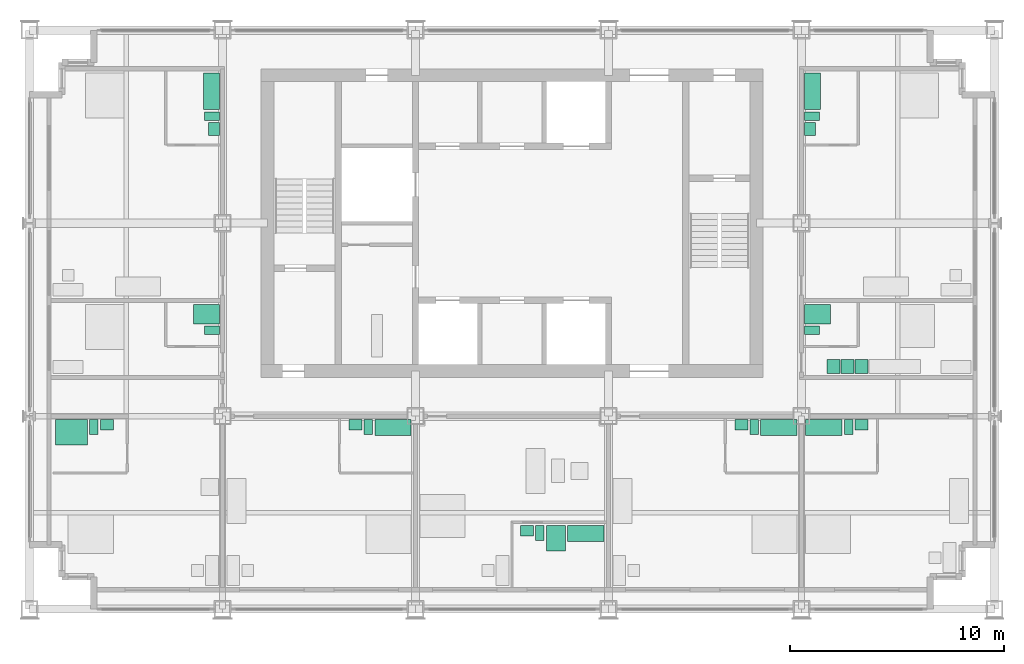
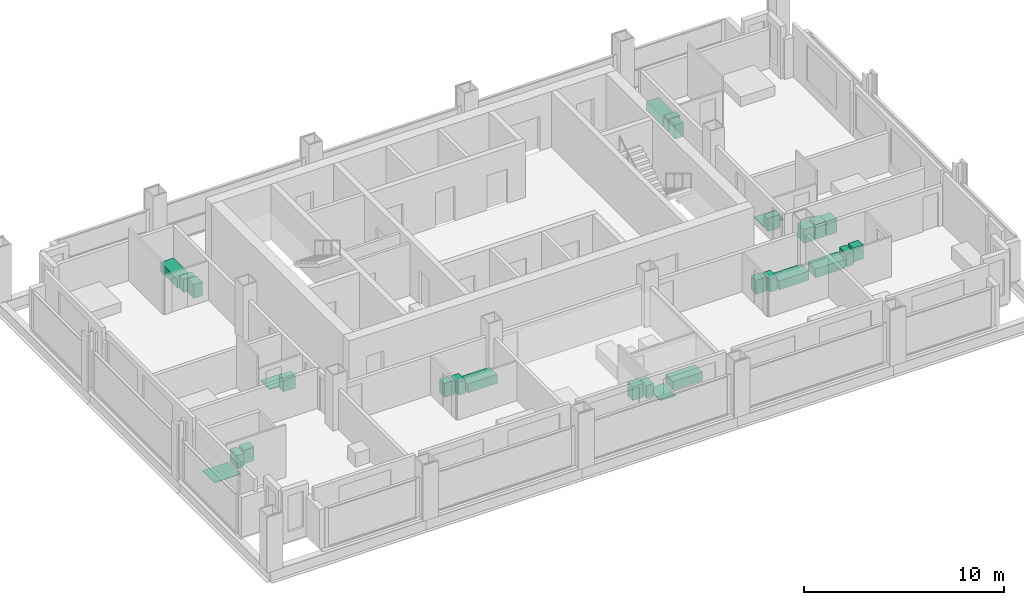
# One storey, part 12 of 13: 26 sanitary terminals, 3 electric appliances.
"""IFC4 building model written with IfcOpenShell, lengths in metres."""

import ifcopenshell
import ifcopenshell.guid

model = None  # the IFC model being written
_history = None  # IfcOwnerHistory: only IFC2X3 demands one
_inside = {}  # id of a spatial element -> (the spatial element, [elements in it])
_under = {}  # id of a project, library or spatial element -> (it, [spatial elements below it])
_declared = {}  # id of a project -> (the project, [libraries it declares])
_typed = {}  # id of a type object -> (the type object, [elements of that type])
_made_of = {}  # id of a material, layer set ... -> (it, [elements and type objects made of it])


def new_model(schema):
    """Start an empty IFC model of exactly this schema.

    Asked for "IFC4X3", IfcOpenShell would pick the latest addendum, in which some entities
    have other attributes; the version numbers below select the first issue.
    IFC2X3 requires an IfcOwnerHistory on every rooted entity: one is made here for all.
    """
    global model, _history
    if schema == "IFC4X3":
        model = ifcopenshell.file(schema_version=(4, 3, 0, 0))
    else:
        model = ifcopenshell.file(schema=schema)
    _inside.clear()
    _under.clear()
    _declared.clear()
    _typed.clear()
    _made_of.clear()
    _history = None
    if model.schema == "IFC2X3":
        org = make("IfcOrganization", Name="unknown")
        user = make(
            "IfcPersonAndOrganization",
            ThePerson=make("IfcPerson", FamilyName="unknown"),
            TheOrganization=org,
        )
        app = make(
            "IfcApplication",
            ApplicationDeveloper=org,
            Version="unknown",
            ApplicationFullName="unknown",
            ApplicationIdentifier="unknown",
        )
        _history = make(
            "IfcOwnerHistory",
            OwningUser=user,
            OwningApplication=app,
            ChangeAction="ADDED",
            CreationDate=0,
        )
    return model


def make(cls, **values):
    """One entity of the class cls with the attributes given. An attribute that is None is left unset."""
    return model.create_entity(
        cls, **{name: value for name, value in values.items() if value is not None}
    )


def rooted(cls, **values):
    """An entity with a GlobalId (a new one), such as an element, a storey or a relation."""
    return make(cls, GlobalId=ifcopenshell.guid.new(), OwnerHistory=_history, **values)


def si_unit(unit_type, name, prefix=None):
    """IfcSIUnit, for example si_unit("LENGTHUNIT", "METRE", prefix="MILLI")."""
    return make("IfcSIUnit", UnitType=unit_type, Prefix=prefix, Name=name)


def assignment(units):
    """IfcUnitAssignment: the units of a project."""
    return None if units is None else make("IfcUnitAssignment", Units=units)


def point(xyz):
    """IfcCartesianPoint."""
    return None if xyz is None else make("IfcCartesianPoint", Coordinates=xyz)


def direction(xyz):
    """IfcDirection."""
    return None if xyz is None else make("IfcDirection", DirectionRatios=xyz)


def frame(location, z_axis=None, x_axis=None):
    """IfcAxis2Placement3D, a coordinate frame: its origin and axes. An axis left out is left unset."""
    return make(
        "IfcAxis2Placement3D",
        Location=point(location),
        Axis=direction(z_axis),
        RefDirection=direction(x_axis),
    )


def frame_2d(location, x_axis=None):
    """IfcAxis2Placement2D, a coordinate frame in the plane: its origin and x axis."""
    return make(
        "IfcAxis2Placement2D", Location=point(location), RefDirection=direction(x_axis)
    )


def origin():
    """The frame at (0, 0, 0) with its axes left unset."""
    return frame((0.0, 0.0, 0.0))


def origin_2d():
    """The frame at (0, 0) in the plane with its x axis left unset."""
    return frame_2d((0.0, 0.0))


def place(relative_to, where):
    """IfcLocalPlacement: puts the frame where relative to a parent placement (None: the world)."""
    return make(
        "IfcLocalPlacement", PlacementRelTo=relative_to, RelativePlacement=where
    )


def context(
    kind, dimensions, precision=None, world=None, true_north=None, identifier=None
):
    """IfcGeometricRepresentationContext, for example the 3D "Model" context."""
    return make(
        "IfcGeometricRepresentationContext",
        ContextIdentifier=identifier,
        ContextType=kind,
        CoordinateSpaceDimension=dimensions,
        Precision=precision,
        WorldCoordinateSystem=world,
        TrueNorth=true_north,
    )


def subcontext(parent, identifier, kind, view, scale=None):
    """IfcGeometricRepresentationSubContext, for example "Body" below "Model"."""
    return make(
        "IfcGeometricRepresentationSubContext",
        ContextIdentifier=identifier,
        ContextType=kind,
        ParentContext=parent,
        TargetScale=scale,
        TargetView=view,
    )


def project(units=None, contexts=None):
    """IfcProject with its units and contexts."""
    return rooted(
        "IfcProject",
        Name="project",
        RepresentationContexts=contexts,
        UnitsInContext=assignment(units),
    )


def spatial(cls, under=None, at=None, **own):
    """A site, building, storey or space (cls), placed at a placement, below another one or the project."""
    s = rooted(cls, ObjectPlacement=at, **own)
    if under is not None:
        _under.setdefault(under.id(), (under, []))[1].append(s)
    return s


def profile(cls, at=None, kind="AREA", **sizes):
    """A parametric profile (cls). Its sizes go by their IFC names, for example OverallWidth=200.0."""
    return make(cls, ProfileType=kind, Position=at, **sizes)


def rectangle(**sizes):
    """IfcRectangleProfileDef."""
    return profile("IfcRectangleProfileDef", **sizes)


def extrude(swept, where, along, depth):
    """IfcExtrudedAreaSolid: the profile swept, set in the frame where, extruded along a direction by depth."""
    return make(
        "IfcExtrudedAreaSolid",
        SweptArea=swept,
        Position=where,
        ExtrudedDirection=direction(along),
        Depth=depth,
    )


def shape(context_of_items, identifier, shape_type, items):
    """IfcShapeRepresentation: the items that make up one representation, for example the "Body"."""
    return make(
        "IfcShapeRepresentation",
        ContextOfItems=context_of_items,
        RepresentationIdentifier=identifier,
        RepresentationType=shape_type,
        Items=items,
    )


def made_of(thing, what):
    """Note that an element or type object is made of a material, layer set ...; save() writes the relation."""
    if what is not None:
        _made_of.setdefault(what.id(), (what, []))[1].append(thing)
    return thing


def element(
    cls,
    number,
    at=None,
    inside=None,
    cuts=None,
    type_object=None,
    material=None,
    context=None,
    identifier="Body",
    shape_type=None,
    held_by="IfcProductDefinitionShape",
    body=None,
    shapes=None,
    **own,
):
    """One element of the class cls, such as IfcWall. Its Tag is "e" and its number.

    at: its placement. inside: the storey or other place that contains it. cuts: it is an
    opening in that element (IfcRelVoidsElement). A single representation is given by context,
    identifier, shape_type and body (its items); several are given by shapes. held_by: the class
    of the entity that holds the representations. save() writes the other relations.
    """
    e = rooted(cls, Tag="e%d" % number, ObjectPlacement=at, **own)
    if body is not None:
        shapes = [shape(context, identifier, shape_type, body)]
    if shapes is not None:
        e.Representation = make(held_by, Representations=shapes)
    if inside is not None:
        _inside.setdefault(inside.id(), (inside, []))[1].append(e)
    if cuts is not None:
        rooted(
            "IfcRelVoidsElement", RelatingBuildingElement=cuts, RelatedOpeningElement=e
        )
    if type_object is not None:
        _typed.setdefault(type_object.id(), (type_object, []))[1].append(e)
    return made_of(e, material)


def aggregate(whole, parts):
    """IfcRelAggregates: a whole, such as a stair, and the parts it consists of."""
    return rooted("IfcRelAggregates", RelatingObject=whole, RelatedObjects=parts)


def save(model, path):
    """Write the relations noted so far, then the file.

    IfcRelAggregates (storeys below a building ...), IfcRelContainedInSpatialStructure (elements
    in a storey), IfcRelDefinesByType, IfcRelAssociatesMaterial and IfcRelDeclares: one each for
    every whole, place, type object, material and project.
    """
    for whole, parts in _under.values():
        aggregate(whole, parts)
    for where, things in _inside.values():
        rooted(
            "IfcRelContainedInSpatialStructure",
            RelatedElements=things,
            RelatingStructure=where,
        )
    for kind, things in _typed.values():
        rooted("IfcRelDefinesByType", RelatedObjects=things, RelatingType=kind)
    for what, things in _made_of.values():
        rooted("IfcRelAssociatesMaterial", RelatedObjects=things, RelatingMaterial=what)
    for by, libraries in _declared.values():
        rooted("IfcRelDeclares", RelatingContext=by, RelatedDefinitions=libraries)
    model.write(path)


model = new_model("IFC4")

# Units and contexts
model_context = context("Model", 3, precision=1e-05, world=origin(), true_north=direction((0.0, 1.0)))
body_context = subcontext(model_context, "Body", "Model", "MODEL_VIEW")
ifc_project = project(units=[si_unit("LENGTHUNIT", "METRE"), si_unit("AREAUNIT", "SQUARE_METRE"), si_unit("VOLUMEUNIT", "CUBIC_METRE"), si_unit("PLANEANGLEUNIT", "RADIAN"), si_unit("MASSUNIT", "GRAM", prefix="KILO")], contexts=[model_context])

# Site, building, storey
site_placement = place(None, origin())
site = spatial("IfcSite", under=ifc_project, at=site_placement, CompositionType="ELEMENT")
building_placement = place(site_placement, origin())
building = spatial("IfcBuilding", under=site, at=building_placement, Name="Loomwork Tower", CompositionType="ELEMENT")
storey_placement = place(building_placement, frame((0.0, 0.0, 180.800048828125)))
storey = spatial("IfcBuildingStorey", under=building, at=storey_placement, Name="L49", CompositionType="ELEMENT", Elevation=180.800048828125)

# Sanitary terminals
sanitary_terminal_1_placement = place(storey_placement, frame((1.949951171875, 8.25, 0.0), z_axis=(0.0, 0.0, 1.0), x_axis=(1.0, 0.0, 0.0)))
element("IfcSanitaryTerminal", 1, at=sanitary_terminal_1_placement, inside=storey, Name="Roll-in shower floor L49", PredefinedType="SHOWER", context=body_context, shape_type="SweptSolid", body=[
    extrude(rectangle(XDim=1.5, YDim=1.199951171875, at=origin_2d()), origin(), (0.0, 0.0, 1.0), 0.030029296875),
])
sanitary_terminal_2_placement = place(storey_placement, frame((3.0, 8.5, 0.0), z_axis=(0.0, 0.0, 1.0), x_axis=(1.0, 0.0, 0.0)))
element("IfcSanitaryTerminal", 2, at=sanitary_terminal_2_placement, inside=storey, Name="WC L49", PredefinedType="TOILETPAN", context=body_context, shape_type="SweptSolid", body=[
    extrude(rectangle(XDim=0.39990234375, YDim=0.699951171875, at=origin_2d()), origin(), (0.0, 0.0, 1.0), 0.800048828125),
])
sanitary_terminal_3_placement = place(storey_placement, frame((3.60009765625, 8.60009765625, 0.0), z_axis=(0.0, 0.0, 1.0), x_axis=(1.0, 0.0, 0.0)))
element("IfcSanitaryTerminal", 3, at=sanitary_terminal_3_placement, inside=storey, Name="Basin vanity L49", PredefinedType="WASHHANDBASIN", context=body_context, shape_type="SweptSolid", body=[
    extrude(rectangle(XDim=0.60009765625, YDim=0.5, at=origin_2d()), origin(), (0.0, 0.0, 1.0), 0.85009765625),
])
sanitary_terminal_4_placement = place(storey_placement, frame((16.949951171875, 8.47509765625, 0.0), z_axis=(0.0, 0.0, 1.0), x_axis=(1.0, 0.0, 0.0)))
element("IfcSanitaryTerminal", 4, at=sanitary_terminal_4_placement, inside=storey, Name="Bath L49", PredefinedType="BATH", context=body_context, shape_type="SweptSolid", body=[
    extrude(rectangle(XDim=1.699951171875, YDim=0.75, at=origin_2d()), origin(), (0.0, 0.0, 1.0), 0.550048828125),
])
sanitary_terminal_5_placement = place(storey_placement, frame((15.800048828125, 8.5, 0.0), z_axis=(0.0, 0.0, 1.0), x_axis=(1.0, 0.0, 0.0)))
element("IfcSanitaryTerminal", 5, at=sanitary_terminal_5_placement, inside=storey, Name="WC L49", PredefinedType="TOILETPAN", context=body_context, shape_type="SweptSolid", body=[
    extrude(rectangle(XDim=0.39990234375, YDim=0.699951171875, at=origin_2d()), origin(), (0.0, 0.0, 1.0), 0.800048828125),
])
sanitary_terminal_6_placement = place(storey_placement, frame((15.199951171875, 8.60009765625, 0.0), z_axis=(0.0, 0.0, 1.0), x_axis=(1.0, 0.0, 0.0)))
element("IfcSanitaryTerminal", 6, at=sanitary_terminal_6_placement, inside=storey, Name="Basin vanity L49", PredefinedType="WASHHANDBASIN", context=body_context, shape_type="SweptSolid", body=[
    extrude(rectangle(XDim=0.60009765625, YDim=0.5, at=origin_2d()), origin(), (0.0, 0.0, 1.0), 0.85009765625),
])
sanitary_terminal_7_placement = place(storey_placement, frame((25.949951171875, 3.52490234375, 0.0), z_axis=(0.0, 0.0, 1.0), x_axis=(1.0, 0.0, 0.0)))
element("IfcSanitaryTerminal", 7, at=sanitary_terminal_7_placement, inside=storey, Name="Bath L49", PredefinedType="BATH", context=body_context, shape_type="SweptSolid", body=[
    extrude(rectangle(XDim=1.699951171875, YDim=0.75, at=origin_2d()), origin(), (0.0, 0.0, 1.0), 0.550048828125),
])
sanitary_terminal_8_placement = place(storey_placement, frame((24.550048828125, 3.300048828125, 0.0), z_axis=(0.0, 0.0, 1.0), x_axis=(1.0, 0.0, 0.0)))
element("IfcSanitaryTerminal", 8, at=sanitary_terminal_8_placement, inside=storey, Name="Shower tray L49", PredefinedType="SHOWER", context=body_context, shape_type="SweptSolid", body=[
    extrude(rectangle(XDim=0.89990234375, YDim=1.199951171875, at=origin_2d()), origin(), (0.0, 0.0, 1.0), 0.050048828125),
])
sanitary_terminal_9_placement = place(storey_placement, frame((23.800048828125, 3.550048828125, 0.0), z_axis=(0.0, 0.0, 1.0), x_axis=(1.0, 0.0, 0.0)))
element("IfcSanitaryTerminal", 9, at=sanitary_terminal_9_placement, inside=storey, Name="WC L49", PredefinedType="TOILETPAN", context=body_context, shape_type="SweptSolid", body=[
    extrude(rectangle(XDim=0.39990234375, YDim=0.699951171875, at=origin_2d()), origin(), (0.0, 0.0, 1.0), 0.800048828125),
])
sanitary_terminal_10_placement = place(storey_placement, frame((23.199951171875, 3.64990234375, 0.0), z_axis=(0.0, 0.0, 1.0), x_axis=(1.0, 0.0, 0.0)))
element("IfcSanitaryTerminal", 10, at=sanitary_terminal_10_placement, inside=storey, Name="Basin vanity L49", PredefinedType="WASHHANDBASIN", context=body_context, shape_type="SweptSolid", body=[
    extrude(rectangle(XDim=0.60009765625, YDim=0.5, at=origin_2d()), origin(), (0.0, 0.0, 1.0), 0.85009765625),
])
sanitary_terminal_11_placement = place(storey_placement, frame((34.949951171875, 8.47509765625, 0.0), z_axis=(0.0, 0.0, 1.0), x_axis=(1.0, 0.0, 0.0)))
element("IfcSanitaryTerminal", 11, at=sanitary_terminal_11_placement, inside=storey, Name="Bath L49", PredefinedType="BATH", context=body_context, shape_type="SweptSolid", body=[
    extrude(rectangle(XDim=1.699951171875, YDim=0.75, at=origin_2d()), origin(), (0.0, 0.0, 1.0), 0.550048828125),
])
sanitary_terminal_12_placement = place(storey_placement, frame((33.800048828125, 8.5, 0.0), z_axis=(0.0, 0.0, 1.0), x_axis=(1.0, 0.0, 0.0)))
element("IfcSanitaryTerminal", 12, at=sanitary_terminal_12_placement, inside=storey, Name="WC L49", PredefinedType="TOILETPAN", context=body_context, shape_type="SweptSolid", body=[
    extrude(rectangle(XDim=0.39990234375, YDim=0.699951171875, at=origin_2d()), origin(), (0.0, 0.0, 1.0), 0.800048828125),
])
sanitary_terminal_13_placement = place(storey_placement, frame((33.199951171875, 8.60009765625, 0.0), z_axis=(0.0, 0.0, 1.0), x_axis=(1.0, 0.0, 0.0)))
element("IfcSanitaryTerminal", 13, at=sanitary_terminal_13_placement, inside=storey, Name="Basin vanity L49", PredefinedType="WASHHANDBASIN", context=body_context, shape_type="SweptSolid", body=[
    extrude(rectangle(XDim=0.60009765625, YDim=0.5, at=origin_2d()), origin(), (0.0, 0.0, 1.0), 0.85009765625),
])
sanitary_terminal_14_placement = place(storey_placement, frame((37.050048828125, 8.47509765625, 0.0), z_axis=(0.0, 0.0, 1.0), x_axis=(1.0, 0.0, 0.0)))
element("IfcSanitaryTerminal", 14, at=sanitary_terminal_14_placement, inside=storey, Name="Bath L49", PredefinedType="BATH", context=body_context, shape_type="SweptSolid", body=[
    extrude(rectangle(XDim=1.699951171875, YDim=0.75, at=origin_2d()), origin(), (0.0, 0.0, 1.0), 0.550048828125),
])
sanitary_terminal_15_placement = place(storey_placement, frame((38.199951171875, 8.5, 0.0), z_axis=(0.0, 0.0, 1.0), x_axis=(1.0, 0.0, 0.0)))
element("IfcSanitaryTerminal", 15, at=sanitary_terminal_15_placement, inside=storey, Name="WC L49", PredefinedType="TOILETPAN", context=body_context, shape_type="SweptSolid", body=[
    extrude(rectangle(XDim=0.39990234375, YDim=0.699951171875, at=origin_2d()), origin(), (0.0, 0.0, 1.0), 0.800048828125),
])
sanitary_terminal_16_placement = place(storey_placement, frame((38.800048828125, 8.60009765625, 0.0), z_axis=(0.0, 0.0, 1.0), x_axis=(1.0, 0.0, 0.0)))
element("IfcSanitaryTerminal", 16, at=sanitary_terminal_16_placement, inside=storey, Name="Basin vanity L49", PredefinedType="WASHHANDBASIN", context=body_context, shape_type="SweptSolid", body=[
    extrude(rectangle(XDim=0.60009765625, YDim=0.5, at=origin_2d()), origin(), (0.0, 0.0, 1.0), 0.85009765625),
])
sanitary_terminal_17_placement = place(storey_placement, frame((8.25, 13.75, 0.0), z_axis=(0.0, 0.0, 1.0), x_axis=(1.0, 0.0, 0.0)))
element("IfcSanitaryTerminal", 17, at=sanitary_terminal_17_placement, inside=storey, Name="Shower tray L49", PredefinedType="SHOWER", context=body_context, shape_type="SweptSolid", body=[
    extrude(rectangle(XDim=1.199951171875, YDim=0.89990234375, at=origin_2d()), origin(), (0.0, 0.0, 1.0), 0.050048828125),
])
sanitary_terminal_18_placement = place(storey_placement, frame((8.5, 13.0, 0.0), z_axis=(0.0, 0.0, 1.0), x_axis=(1.0, 0.0, 0.0)))
element("IfcSanitaryTerminal", 18, at=sanitary_terminal_18_placement, inside=storey, Name="WC L49", PredefinedType="TOILETPAN", context=body_context, shape_type="SweptSolid", body=[
    extrude(rectangle(XDim=0.699951171875, YDim=0.39990234375, at=origin_2d()), origin(), (0.0, 0.0, 1.0), 0.800048828125),
])
sanitary_terminal_19_placement = place(storey_placement, frame((8.47509765625, 24.14990234375, 0.0), z_axis=(0.0, 0.0, 1.0), x_axis=(1.0, 0.0, 0.0)))
element("IfcSanitaryTerminal", 19, at=sanitary_terminal_19_placement, inside=storey, Name="Bath L49", PredefinedType="BATH", context=body_context, shape_type="SweptSolid", body=[
    extrude(rectangle(XDim=0.75, YDim=1.699951171875, at=origin_2d()), origin(), (0.0, 0.0, 1.0), 0.550048828125),
])
sanitary_terminal_20_placement = place(storey_placement, frame((8.5, 23.0, 0.0), z_axis=(0.0, 0.0, 1.0), x_axis=(1.0, 0.0, 0.0)))
element("IfcSanitaryTerminal", 20, at=sanitary_terminal_20_placement, inside=storey, Name="WC L49", PredefinedType="TOILETPAN", context=body_context, shape_type="SweptSolid", body=[
    extrude(rectangle(XDim=0.699951171875, YDim=0.39990234375, at=origin_2d()), origin(), (0.0, 0.0, 1.0), 0.800048828125),
])
sanitary_terminal_21_placement = place(storey_placement, frame((8.60009765625, 22.39990234375, 0.0), z_axis=(0.0, 0.0, 1.0), x_axis=(1.0, 0.0, 0.0)))
element("IfcSanitaryTerminal", 21, at=sanitary_terminal_21_placement, inside=storey, Name="Basin vanity L49", PredefinedType="WASHHANDBASIN", context=body_context, shape_type="SweptSolid", body=[
    extrude(rectangle(XDim=0.5, YDim=0.60009765625, at=origin_2d()), origin(), (0.0, 0.0, 1.0), 0.85009765625),
])
sanitary_terminal_22_placement = place(storey_placement, frame((36.75, 13.75, 0.0), z_axis=(0.0, 0.0, 1.0), x_axis=(1.0, 0.0, 0.0)))
element("IfcSanitaryTerminal", 22, at=sanitary_terminal_22_placement, inside=storey, Name="Shower tray L49", PredefinedType="SHOWER", context=body_context, shape_type="SweptSolid", body=[
    extrude(rectangle(XDim=1.199951171875, YDim=0.89990234375, at=origin_2d()), origin(), (0.0, 0.0, 1.0), 0.050048828125),
])
sanitary_terminal_23_placement = place(storey_placement, frame((36.5, 13.0, 0.0), z_axis=(0.0, 0.0, 1.0), x_axis=(1.0, 0.0, 0.0)))
element("IfcSanitaryTerminal", 23, at=sanitary_terminal_23_placement, inside=storey, Name="WC L49", PredefinedType="TOILETPAN", context=body_context, shape_type="SweptSolid", body=[
    extrude(rectangle(XDim=0.699951171875, YDim=0.39990234375, at=origin_2d()), origin(), (0.0, 0.0, 1.0), 0.800048828125),
])

# Electric appliances
electric_appliance_1_placement = place(storey_placement, frame((37.5, 11.324951171875, 0.0), z_axis=(0.0, 0.0, 1.0), x_axis=(1.0, 0.0, 0.0)))
element("IfcElectricAppliance", 24, at=electric_appliance_1_placement, inside=storey, Name="Refrigerator L49", PredefinedType="REFRIGERATOR", context=body_context, shape_type="SweptSolid", body=[
    extrude(rectangle(XDim=0.60009765625, YDim=0.64990234375, at=origin_2d()), origin(), (0.0, 0.0, 1.0), 0.85009765625),
])
electric_appliance_2_placement = place(storey_placement, frame((38.14990234375, 11.324951171875, 0.0), z_axis=(0.0, 0.0, 1.0), x_axis=(1.0, 0.0, 0.0)))
element("IfcElectricAppliance", 25, at=electric_appliance_2_placement, inside=storey, Name="Two-ring cooktop and oven L49", PredefinedType="ELECTRICCOOKER", context=body_context, shape_type="SweptSolid", body=[
    extrude(rectangle(XDim=0.60009765625, YDim=0.64990234375, at=origin_2d()), origin(), (0.0, 0.0, 1.0), 0.89990234375),
])
electric_appliance_3_placement = place(storey_placement, frame((38.800048828125, 11.324951171875, 0.0), z_axis=(0.0, 0.0, 1.0), x_axis=(1.0, 0.0, 0.0)))
element("IfcElectricAppliance", 26, at=electric_appliance_3_placement, inside=storey, Name="Dishwasher L49", PredefinedType="DISHWASHER", context=body_context, shape_type="SweptSolid", body=[
    extrude(rectangle(XDim=0.60009765625, YDim=0.64990234375, at=origin_2d()), origin(), (0.0, 0.0, 1.0), 0.85009765625),
])

# Sanitary terminals
sanitary_terminal_24_placement = place(storey_placement, frame((36.52490234375, 24.14990234375, 0.0), z_axis=(0.0, 0.0, 1.0), x_axis=(1.0, 0.0, 0.0)))
element("IfcSanitaryTerminal", 27, at=sanitary_terminal_24_placement, inside=storey, Name="Bath L49", PredefinedType="BATH", context=body_context, shape_type="SweptSolid", body=[
    extrude(rectangle(XDim=0.75, YDim=1.699951171875, at=origin_2d()), origin(), (0.0, 0.0, 1.0), 0.550048828125),
])
sanitary_terminal_25_placement = place(storey_placement, frame((36.5, 23.0, 0.0), z_axis=(0.0, 0.0, 1.0), x_axis=(1.0, 0.0, 0.0)))
element("IfcSanitaryTerminal", 28, at=sanitary_terminal_25_placement, inside=storey, Name="WC L49", PredefinedType="TOILETPAN", context=body_context, shape_type="SweptSolid", body=[
    extrude(rectangle(XDim=0.699951171875, YDim=0.39990234375, at=origin_2d()), origin(), (0.0, 0.0, 1.0), 0.800048828125),
])
sanitary_terminal_26_placement = place(storey_placement, frame((36.39990234375, 22.39990234375, 0.0), z_axis=(0.0, 0.0, 1.0), x_axis=(1.0, 0.0, 0.0)))
element("IfcSanitaryTerminal", 29, at=sanitary_terminal_26_placement, inside=storey, Name="Basin vanity L49", PredefinedType="WASHHANDBASIN", context=body_context, shape_type="SweptSolid", body=[
    extrude(rectangle(XDim=0.5, YDim=0.60009765625, at=origin_2d()), origin(), (0.0, 0.0, 1.0), 0.85009765625),
])

save(model, "model.ifc")
